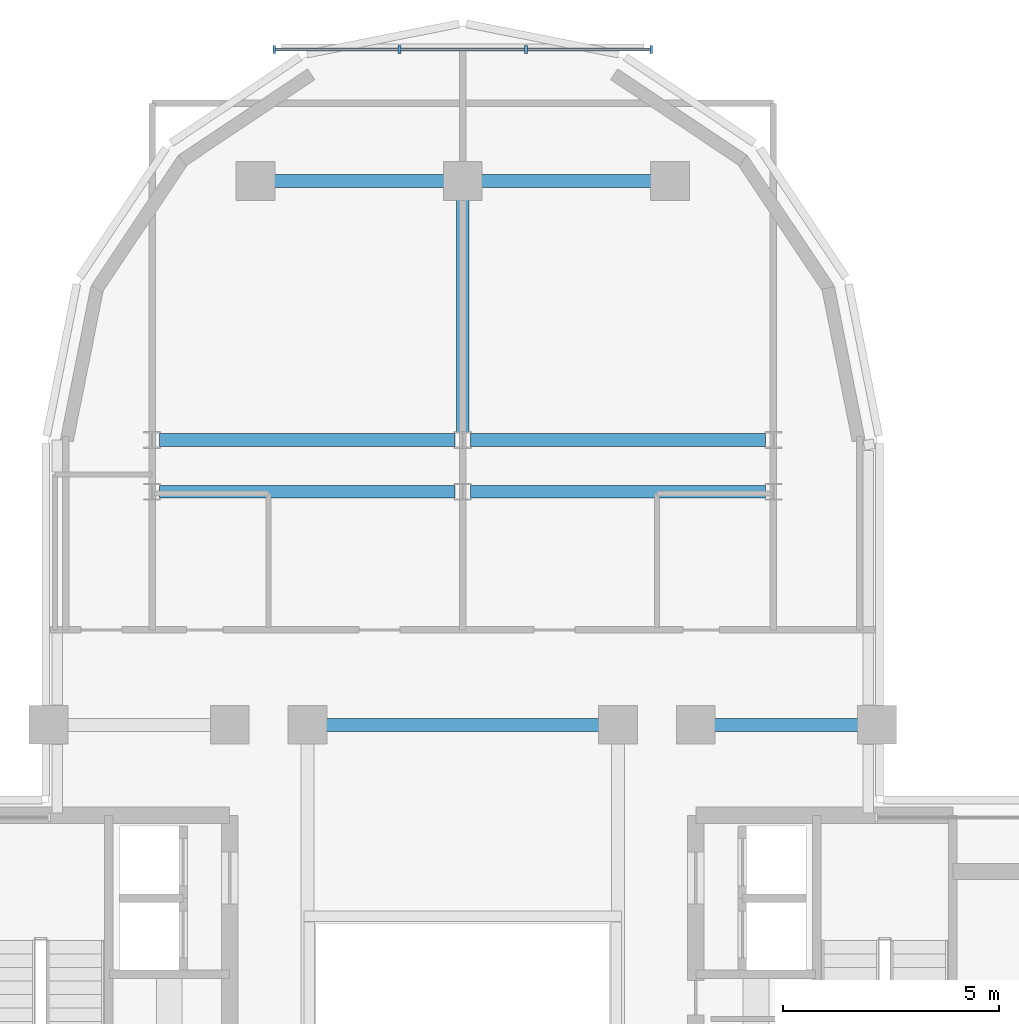
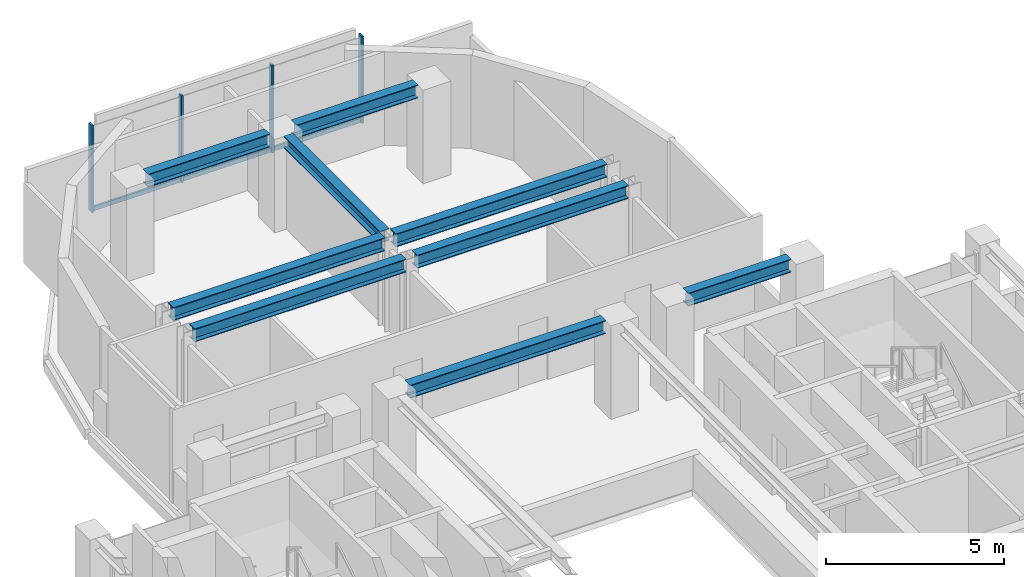
# One storey, part 4 of 11: 9 beams, 7 members, 1 element without a shape of its own.
"""IFC4 building model written with IfcOpenShell, lengths in metres."""

from ifc_helpers import new_model, si_unit, direction, frame, origin, origin_2d, place, context, subcontext, project, spatial, rectangle, i_section, extrude, source, transform, mapped, material, material_profile, profile_set, type_object, element, aggregate, save


model = new_model("IFC4")

# Units and contexts
model_context = context("Model", 3, precision=1e-05, world=origin(), true_north=direction((0.0, 1.0)))
body_context = subcontext(model_context, "Body", "Model", "MODEL_VIEW")
ifc_project = project(units=[si_unit("LENGTHUNIT", "METRE"), si_unit("AREAUNIT", "SQUARE_METRE"), si_unit("VOLUMEUNIT", "CUBIC_METRE"), si_unit("PLANEANGLEUNIT", "RADIAN"), si_unit("MASSUNIT", "GRAM", prefix="KILO")], contexts=[model_context])

# Site, building, storey
site_placement = place(None, origin())
site = spatial("IfcSite", under=ifc_project, at=site_placement, CompositionType="ELEMENT")
building_placement = place(site_placement, origin())
building = spatial("IfcBuilding", under=site, at=building_placement, Name="Keilestroom Media Tower", CompositionType="ELEMENT")
storey_placement = place(building_placement, frame((0.0, 0.0, 197.800048828125)))
storey = spatial("IfcBuildingStorey", under=building, at=storey_placement, Name="L54", CompositionType="ELEMENT", Elevation=197.800048828125)

# Beams
ifc_material_1 = material(Name="Steel S355", Category="steel")
ifc_material_profile_1 = material_profile(ifc_material_1, i_section(OverallWidth=0.300048828125, OverallDepth=0.449951171875, WebThickness=0.011962890625, FlangeThickness=0.02587890625, at=origin_2d()), Name="HEB 450")
ifc_profile_set_1 = profile_set([ifc_material_profile_1], Name="Steel S355")
beam_type_1 = type_object("IfcBeamType", Name="Primary-Structural-Girder-HEB-450", PredefinedType="BEAM", material=ifc_profile_set_1)
shared_shape_1 = source(origin(), body_context, "Body", "SweptSolid", [
    extrude(i_section(OverallWidth=0.300048828125, OverallDepth=0.449951171875, WebThickness=0.011962890625, FlangeThickness=0.02587890625, at=origin_2d()), origin(), (0.0, 0.0, 1.0), 3.940185546875),
])
for number, where, z_axis, x_axis, name in (
    (1, (-4.3701171875, 21.60009765625, 2.974853515625), (1.0, 0.0, 0.0), (0.0, 1.0, 0.0), "L54 Beam BG-7 BM-L54-EW-029"),
    (2, (0.429931640625, 21.60009765625, 2.974853515625), (1.0, 0.0, 0.0), (0.0, 1.0, 0.0), "L54 Beam BG-7 BM-L54-EW-030"),
):
    element("IfcBeam", number, at=place(storey_placement, frame(where, z_axis=z_axis, x_axis=x_axis)), inside=storey, type_object=beam_type_1, Name=name, PredefinedType="BEAM", context=body_context, shape_type="MappedRepresentation", body=[
        mapped(shared_shape_1, transform((0.0, 0.0, 0.0), x_axis=(1.0, 0.0, 0.0), y_axis=(0.0, 1.0, 0.0), z_axis=(0.0, 0.0, 1.0), scale=1.0)),
    ])
shared_shape_2 = source(origin(), body_context, "Body", "SweptSolid", [
    extrude(i_section(OverallWidth=0.300048828125, OverallDepth=0.449951171875, WebThickness=0.011962890625, FlangeThickness=0.02587890625, at=origin_2d()), origin(), (0.0, 0.0, 1.0), 6.842041015625),
])
for number, where, z_axis, x_axis, name in (
    (3, (-7.02099609375, 14.39990234375, 2.974853515625), (1.0, 0.0, 0.0), (0.0, 1.0, 0.0), "L54 Beam BG-7 BM-L54-EW-025"),
    (4, (0.178955078125, 14.39990234375, 2.974853515625), (1.0, 0.0, 0.0), (0.0, 1.0, 0.0), "L54 Beam BG-7 BM-L54-EW-026"),
    (5, (-7.02099609375, 15.60009765625, 2.974853515625), (1.0, 0.0, 0.0), (0.0, 1.0, 0.0), "L54 Beam BG-7 BM-L54-EW-027"),
    (6, (0.178955078125, 15.60009765625, 2.974853515625), (1.0, 0.0, 0.0), (0.0, 1.0, 0.0), "L54 Beam BG-7 BM-L54-EW-028"),
):
    element("IfcBeam", number, at=place(storey_placement, frame(where, z_axis=z_axis, x_axis=x_axis)), inside=storey, type_object=beam_type_1, Name=name, PredefinedType="BEAM", context=body_context, shape_type="MappedRepresentation", body=[
        mapped(shared_shape_2, transform((0.0, 0.0, 0.0), x_axis=(1.0, 0.0, 0.0), y_axis=(0.0, 1.0, 0.0), z_axis=(0.0, 0.0, 1.0), scale=1.0)),
    ])
shared_shape_3 = source(origin(), body_context, "Body", "SweptSolid", [
    extrude(i_section(OverallWidth=0.300048828125, OverallDepth=0.449951171875, WebThickness=0.011962890625, FlangeThickness=0.02587890625, at=origin_2d()), origin(), (0.0, 0.0, 1.0), 3.33984375),
])
beam_1_placement = place(storey_placement, frame((5.830078125, 9.0, 2.974853515625), z_axis=(1.0, 0.0, 0.0), x_axis=(0.0, 1.0, 0.0)))
element("IfcBeam", 7, at=beam_1_placement, inside=storey, type_object=beam_type_1, Name="L54 Beam BG-7 BM-L54-EW-024", PredefinedType="BEAM", context=body_context, shape_type="MappedRepresentation", body=[
    mapped(shared_shape_3, transform((0.0, 0.0, 0.0), x_axis=(1.0, 0.0, 0.0), y_axis=(0.0, 1.0, 0.0), z_axis=(0.0, 0.0, 1.0), scale=1.0)),
])
shared_shape_4 = source(origin(), body_context, "Body", "SweptSolid", [
    extrude(i_section(OverallWidth=0.300048828125, OverallDepth=0.449951171875, WebThickness=0.011962890625, FlangeThickness=0.02587890625, at=origin_2d()), origin(), (0.0, 0.0, 1.0), 6.33984375),
])
beam_2_placement = place(storey_placement, frame((-3.169921875, 9.0, 2.974853515625), z_axis=(1.0, 0.0, 0.0), x_axis=(0.0, 1.0, 0.0)))
element("IfcBeam", 8, at=beam_2_placement, inside=storey, type_object=beam_type_1, Name="L54 Beam BG-7 BM-L54-EW-022", PredefinedType="BEAM", context=body_context, shape_type="MappedRepresentation", body=[
    mapped(shared_shape_4, transform((0.0, 0.0, 0.0), x_axis=(1.0, 0.0, 0.0), y_axis=(0.0, 1.0, 0.0), z_axis=(0.0, 0.0, 1.0), scale=1.0)),
])
ifc_material_profile_2 = material_profile(ifc_material_1, i_section(OverallWidth=0.300048828125, OverallDepth=0.39990234375, WebThickness=0.011474609375, FlangeThickness=0.02392578125, at=origin_2d()), Name="HEB 400")
ifc_profile_set_2 = profile_set([ifc_material_profile_2], Name="Steel S355")
beam_type_2 = type_object("IfcBeamType", Name="Primary-Structural-Girder-HEB-400", PredefinedType="BEAM", material=ifc_profile_set_2)
shared_shape_5 = source(origin(), body_context, "Body", "SweptSolid", [
    extrude(i_section(OverallWidth=0.300048828125, OverallDepth=0.39990234375, WebThickness=0.011474609375, FlangeThickness=0.02392578125, at=origin_2d()), origin(), (0.0, 0.0, 1.0), 5.396484375),
])
beam_3_placement = place(storey_placement, frame((0.0, 15.7734375, 3.0), z_axis=(0.0, 1.0, 0.0), x_axis=(-1.0, 0.0, 0.0)))
element("IfcBeam", 9, at=beam_3_placement, inside=storey, type_object=beam_type_2, Name="L54 Beam BG-8 BM-L54-NS-044", PredefinedType="BEAM", context=body_context, shape_type="MappedRepresentation", body=[
    mapped(shared_shape_5, transform((0.0, 0.0, 0.0), x_axis=(1.0, 0.0, 0.0), y_axis=(0.0, 1.0, 0.0), z_axis=(0.0, 0.0, 1.0), scale=1.0)),
])

# Curtain wall, members
ifc_material_2 = material(Name="Anodised Aluminium Alloy", Category="aluminium")
curtain_wall_type = type_object("IfcCurtainWallType", Name="Unitised-Curtain-Wall-CW-6", PredefinedType="NOTDEFINED", material=ifc_material_2)
curtain_wall_placement = place(storey_placement, origin())
curtain_wall = element("IfcCurtainWall", 10, at=curtain_wall_placement, inside=storey, type_object=curtain_wall_type, Name="L54 Curtain Wall CW-6 CW-L54-LN-1", PredefinedType="NOTDEFINED")
ifc_material_profile_3 = material_profile(ifc_material_2, rectangle(XDim=0.06494140625, YDim=0.179931640625, at=origin_2d()), Name="ALU MULLION 65x180")
ifc_profile_set_3 = profile_set([ifc_material_profile_3], Name="Anodised Aluminium Alloy")
member_type_1 = type_object("IfcMemberType", Name="Curtain-Wall-Mullion-CW-6", PredefinedType="MULLION", material=ifc_profile_set_3)
shared_shape_6 = source(origin(), body_context, "Body", "SweptSolid", [
    extrude(rectangle(XDim=0.06494140625, YDim=0.179931640625, at=origin_2d()), origin(), (0.0, 0.0, 1.0), 2.97998046875),
])
member_1_placement = place(storey_placement, frame((-4.367431640625, 24.64990234375, 0.0), z_axis=(0.0, 0.0, 1.0), x_axis=(1.0, 0.0, 0.0)))
member_1 = element("IfcMember", 11, at=member_1_placement, type_object=member_type_1, Name="CW-6 Mullion 00", PredefinedType="MULLION", context=body_context, shape_type="MappedRepresentation", body=[
    mapped(shared_shape_6, transform((0.0, 0.0, 0.0), x_axis=(1.0, 0.0, 0.0), y_axis=(0.0, 1.0, 0.0), z_axis=(0.0, 0.0, 1.0), scale=1.0)),
])
member_2_placement = place(storey_placement, frame((-1.466796875, 24.64990234375, 0.0), z_axis=(0.0, 0.0, 1.0), x_axis=(1.0, 0.0, 0.0)))
member_2 = element("IfcMember", 12, at=member_2_placement, type_object=member_type_1, Name="CW-6 Mullion 01", PredefinedType="MULLION", context=body_context, shape_type="MappedRepresentation", body=[
    mapped(shared_shape_6, transform((0.0, 0.0, 0.0), x_axis=(1.0, 0.0, 0.0), y_axis=(0.0, 1.0, 0.0), z_axis=(0.0, 0.0, 1.0), scale=1.0)),
])
member_3_placement = place(storey_placement, frame((1.466796875, 24.64990234375, 0.0), z_axis=(0.0, 0.0, 1.0), x_axis=(1.0, 0.0, 0.0)))
member_3 = element("IfcMember", 13, at=member_3_placement, type_object=member_type_1, Name="CW-6 Mullion 02", PredefinedType="MULLION", context=body_context, shape_type="MappedRepresentation", body=[
    mapped(shared_shape_6, transform((0.0, 0.0, 0.0), x_axis=(1.0, 0.0, 0.0), y_axis=(0.0, 1.0, 0.0), z_axis=(0.0, 0.0, 1.0), scale=1.0)),
])
member_4_placement = place(storey_placement, frame((4.367431640625, 24.64990234375, 0.0), z_axis=(0.0, 0.0, 1.0), x_axis=(1.0, 0.0, 0.0)))
member_4 = element("IfcMember", 14, at=member_4_placement, type_object=member_type_1, Name="CW-6 Mullion 03", PredefinedType="MULLION", context=body_context, shape_type="MappedRepresentation", body=[
    mapped(shared_shape_6, transform((0.0, 0.0, 0.0), x_axis=(1.0, 0.0, 0.0), y_axis=(0.0, 1.0, 0.0), z_axis=(0.0, 0.0, 1.0), scale=1.0)),
])
ifc_material_profile_4 = material_profile(ifc_material_2, rectangle(XDim=0.06494140625, YDim=0.14990234375, at=origin_2d()), Name="ALU TRANSOM 65x150")
ifc_profile_set_4 = profile_set([ifc_material_profile_4], Name="Anodised Aluminium Alloy")
member_type_2 = type_object("IfcMemberType", Name="Curtain-Wall-Transom-CW-6", PredefinedType="USERDEFINED", material=ifc_profile_set_4)
shared_shape_7 = source(origin(), body_context, "Body", "SweptSolid", [
    extrude(rectangle(XDim=0.06494140625, YDim=0.14990234375, at=origin_2d()), origin(), (0.0, 0.0, 1.0), 2.839599609375),
])
member_5_placement = place(storey_placement, frame((-4.3369140625, 24.64990234375, 0.074951171875), z_axis=(1.0, 0.0, 0.0), x_axis=(0.0, 1.0, 0.0)))
member_5 = element("IfcMember", 15, at=member_5_placement, type_object=member_type_2, Name="CW-6 Transom 00.1", ObjectType="TRANSOM", PredefinedType="USERDEFINED", context=body_context, shape_type="MappedRepresentation", body=[
    mapped(shared_shape_7, transform((0.0, 0.0, 0.0), x_axis=(1.0, 0.0, 0.0), y_axis=(0.0, 1.0, 0.0), z_axis=(0.0, 0.0, 1.0), scale=1.0)),
])
member_6_placement = place(storey_placement, frame((1.497314453125, 24.64990234375, 0.074951171875), z_axis=(1.0, 0.0, 0.0), x_axis=(0.0, 1.0, 0.0)))
member_6 = element("IfcMember", 16, at=member_6_placement, type_object=member_type_2, Name="CW-6 Transom 02.1", ObjectType="TRANSOM", PredefinedType="USERDEFINED", context=body_context, shape_type="MappedRepresentation", body=[
    mapped(shared_shape_7, transform((0.0, 0.0, 0.0), x_axis=(1.0, 0.0, 0.0), y_axis=(0.0, 1.0, 0.0), z_axis=(0.0, 0.0, 1.0), scale=1.0)),
])
shared_shape_8 = source(origin(), body_context, "Body", "SweptSolid", [
    extrude(rectangle(XDim=0.06494140625, YDim=0.14990234375, at=origin_2d()), origin(), (0.0, 0.0, 1.0), 2.87255859375),
])
member_7_placement = place(storey_placement, frame((-1.436279296875, 24.64990234375, 0.074951171875), z_axis=(1.0, 0.0, 0.0), x_axis=(0.0, 1.0, 0.0)))
member_7 = element("IfcMember", 17, at=member_7_placement, type_object=member_type_2, Name="CW-6 Transom 01.1", ObjectType="TRANSOM", PredefinedType="USERDEFINED", context=body_context, shape_type="MappedRepresentation", body=[
    mapped(shared_shape_8, transform((0.0, 0.0, 0.0), x_axis=(1.0, 0.0, 0.0), y_axis=(0.0, 1.0, 0.0), z_axis=(0.0, 0.0, 1.0), scale=1.0)),
])
aggregate(curtain_wall, [member_1, member_2, member_3, member_4, member_5, member_7, member_6])

save(model, "model.ifc")
